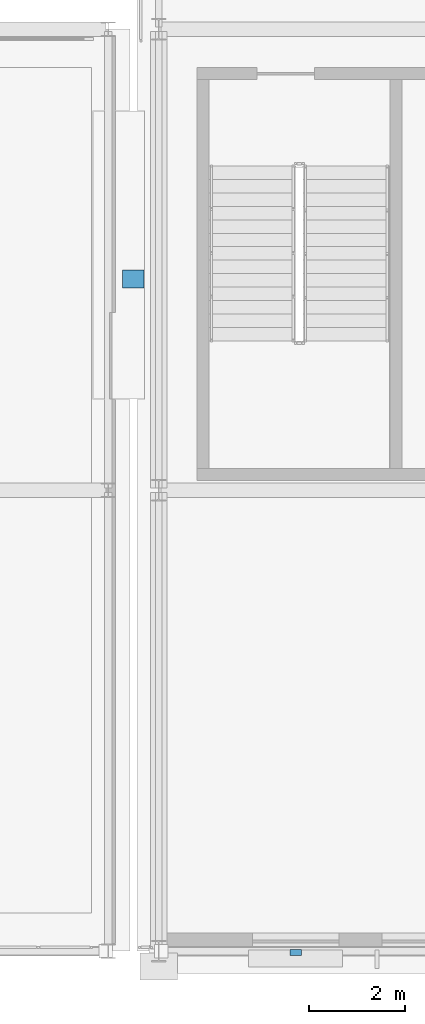
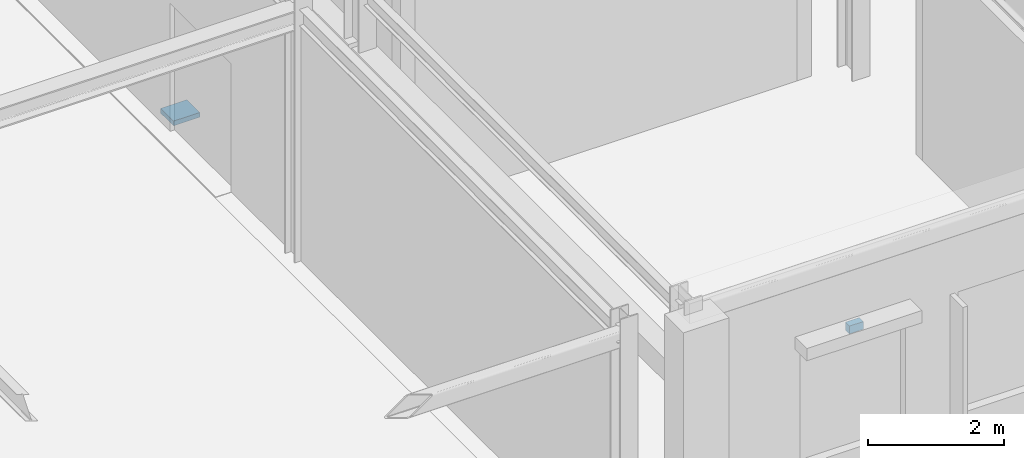
# One storey, part 86 of 125: 2 discrete accessories.
"""IFC4 building model written with IfcOpenShell, lengths in metres."""

from ifc_helpers import new_model, si_unit, direction, frame, origin, origin_2d, place, context, subcontext, project, spatial, rectangle, extrude, material, type_object, element, save


model = new_model("IFC4")

# Units and contexts
model_context = context("Model", 3, precision=1e-05, world=origin(), true_north=direction((0.0, 1.0)))
body_context = subcontext(model_context, "Body", "Model", "MODEL_VIEW")
ifc_project = project(units=[si_unit("LENGTHUNIT", "METRE"), si_unit("AREAUNIT", "SQUARE_METRE"), si_unit("VOLUMEUNIT", "CUBIC_METRE"), si_unit("PLANEANGLEUNIT", "RADIAN"), si_unit("MASSUNIT", "GRAM", prefix="KILO")], contexts=[model_context])

# Site, building, storey
site_placement = place(None, origin())
site = spatial("IfcSite", under=ifc_project, at=site_placement, CompositionType="ELEMENT")
building_placement = place(site_placement, origin())
building = spatial("IfcBuilding", under=site, at=building_placement, Name="Myrtia Square Station", CompositionType="ELEMENT")
storey_placement = place(building_placement, frame((0.0, 0.0, 6.0)))
storey = spatial("IfcBuildingStorey", under=building, at=storey_placement, Name="L01", CompositionType="ELEMENT", Elevation=6.0)

# Discrete accessories
ifc_material = material(Name="Steel S355", Category="steel")
discrete_accessory_type_1 = type_object("IfcDiscreteAccessoryType", Name="ACC-BRACKET-BRONZE", PredefinedType="BRACKET", material=ifc_material)
discrete_accessory_1_placement = place(storey_placement, frame((120.451904296875, -0.030029296875, 3.1298828125), z_axis=(0.0, 0.0, 1.0), x_axis=(1.0, 0.0, 0.0)))
element("IfcDiscreteAccessory", 1, at=discrete_accessory_1_placement, inside=storey, type_object=discrete_accessory_type_1, Name="Solar shading fixing bracket 012", PredefinedType="BRACKET", context=body_context, shape_type="SweptSolid", body=[
    extrude(rectangle(XDim=0.239990234375, YDim=0.1201171875, at=origin_2d()), origin(), (0.0, 0.0, 1.0), 0.139892578125),
])
discrete_accessory_type_2 = type_object("IfcDiscreteAccessoryType", Name="ACC-PTFE-BEARING", PredefinedType="USERDEFINED", material=ifc_material)
discrete_accessory_2_placement = place(storey_placement, frame((117.074951171875, 14.0, -0.33447265625), z_axis=(0.0, 0.0, 1.0), x_axis=(1.0, 0.0, 0.0)))
element("IfcDiscreteAccessory", 2, at=discrete_accessory_2_placement, inside=storey, type_object=discrete_accessory_type_2, Name="Seismic movement-joint passage sliding bearing SB-01-07", ObjectType="SLIDING BEARING", PredefinedType="USERDEFINED", context=body_context, shape_type="SweptSolid", body=[
    extrude(rectangle(XDim=0.449951171875, YDim=0.3798828125, at=origin_2d()), origin(), (0.0, 0.0, 1.0), 0.0849609375),
])

save(model, "model.ifc")
